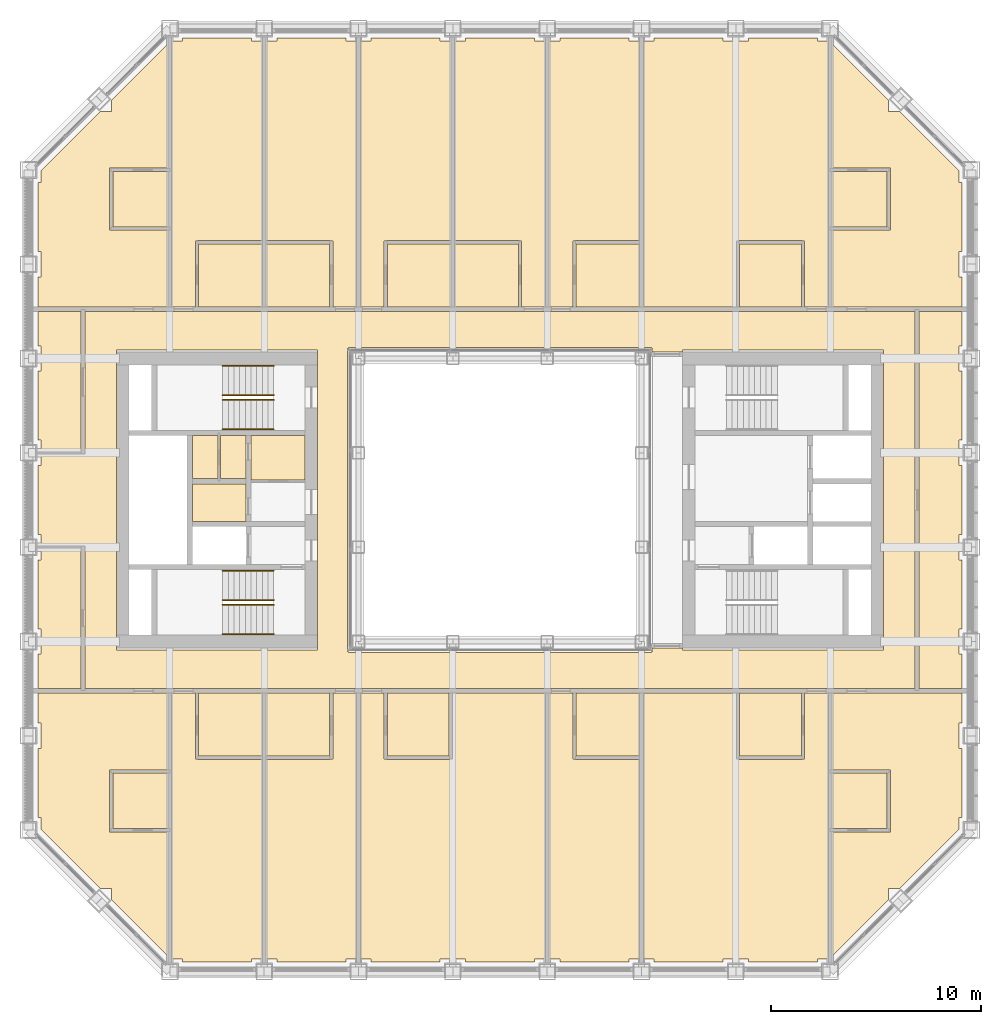
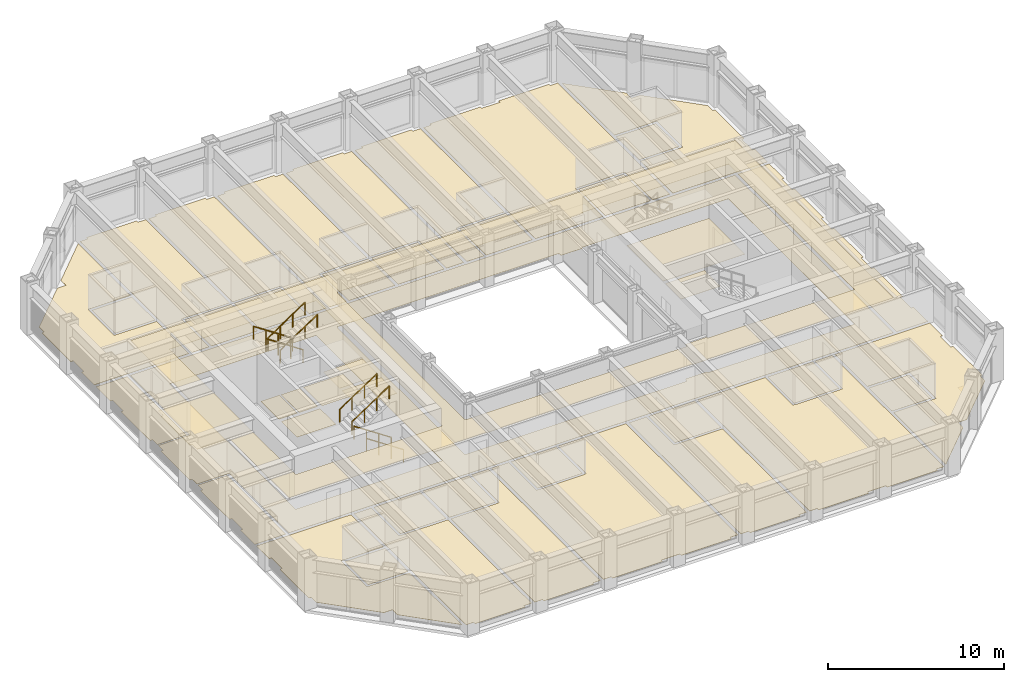
# One storey, part 15 of 17: 8 railings, 5 coverings.
"""IFC4 building model written with IfcOpenShell, lengths in metres."""

from ifc_helpers import new_model, si_unit, direction, frame, origin, origin_2d, place, context, subcontext, project, spatial, line, indexed_curve, circle, outline, extrude, material, layer, layer_set, type_object, element, save


model = new_model("IFC4")

# Units and contexts
model_context = context("Model", 3, precision=1e-05, world=origin(), true_north=direction((0.0, 1.0)))
body_context = subcontext(model_context, "Body", "Model", "MODEL_VIEW")
ifc_project = project(units=[si_unit("LENGTHUNIT", "METRE"), si_unit("AREAUNIT", "SQUARE_METRE"), si_unit("VOLUMEUNIT", "CUBIC_METRE"), si_unit("PLANEANGLEUNIT", "RADIAN"), si_unit("MASSUNIT", "GRAM", prefix="KILO")], contexts=[model_context])

# Site, building, storey
site_placement = place(None, origin())
site = spatial("IfcSite", under=ifc_project, at=site_placement, CompositionType="ELEMENT")
building_placement = place(site_placement, origin())
building = spatial("IfcBuilding", under=site, at=building_placement, Name="Msasa Ring Tower", CompositionType="ELEMENT")
storey_placement = place(building_placement, frame((0.0, 0.0, 140.0)))
storey = spatial("IfcBuildingStorey", under=building, at=storey_placement, Name="L36", CompositionType="ELEMENT", Elevation=140.0)

# Coverings
ifc_material_1 = material(Name="Gypsum plasterboard on a steel suspension grid", Category="steel")
ifc_layer_1 = layer(ifc_material_1, 0.014892578125)
ifc_layer_set_1 = layer_set([ifc_layer_1], Name="C1 SUSPENDED PLASTERBOARD CEILING 15")
covering_type_1 = type_object("IfcCoveringType", Name="C1 SUSPENDED PLASTERBOARD CEILING 15", PredefinedType="CEILING", material=ifc_layer_set_1)
covering_1_placement = place(storey_placement, frame((0.0, 0.0, 2.39990234375)))
element("IfcCovering", 1, at=covering_1_placement, inside=storey, type_object=covering_type_1, Name="Suspended Plasterboard Ceiling 15 circulation L36", PredefinedType="CEILING", context=body_context, shape_type="SweptSolid", body=[
    extrude(outline(indexed_curve([(19.799560546875, 8.99951171875), (19.799560546875, -8.99951171875), (-19.799560546875, -8.99951171875), (-19.799560546875, -2.199462890625), (-21.8994140625, -2.199462890625), (-21.8994140625, -1.6494140625), (-22.049560546875, -1.6494140625), (-22.049560546875, 1.6494140625), (-21.8994140625, 1.6494140625), (-21.8994140625, 2.199462890625), (-19.799560546875, 2.199462890625), (-19.799560546875, 8.99951171875)], segments=[line(1, 2, 3, 4, 5, 6, 7, 8, 9, 10, 11, 12, 1)], self_intersect=False), holes=[indexed_curve([(8.699462890625, -7.150390625), (18.300537109375, -7.150390625), (18.300537109375, 7.150390625), (8.699462890625, 7.150390625), (8.699462890625, 7.050537109375), (7.280029296875, 7.050537109375), (7.280517578125, 7.23046875), (7.22998046875, 7.23046875), (7.22998046875, 7.280029296875), (-7.22998046875, 7.280029296875), (-7.22998046875, 7.23046875), (-7.280517578125, 7.23046875), (-7.280517578125, -7.23046875), (-7.22998046875, -7.23046875), (-7.22998046875, -7.280029296875), (7.22998046875, -7.280029296875), (7.22998046875, -7.23046875), (7.280517578125, -7.23046875), (7.280029296875, -7.050537109375), (8.699462890625, -7.050537109375)], segments=[line(1, 2, 3, 4, 5, 6, 7, 8, 9, 10, 11, 12, 13, 14, 15, 16, 17, 18, 19, 20, 1)], self_intersect=False), indexed_curve([(-8.699462890625, 7.150390625), (-18.300537109375, 7.150390625), (-18.300537109375, -7.150390625), (-8.699462890625, -7.150390625)], segments=[line(1, 2, 3, 4, 1)], self_intersect=False)]), origin(), (0.0, 0.0, 1.0), 0.01513671875),
    extrude(outline(indexed_curve([(-9.300537109375, -3.074462890625), (-11.87451171875, -3.074462890625), (-11.87451171875, -1.275390625), (-9.300537109375, -1.275390625)], segments=[line(1, 2, 3, 4, 1)], self_intersect=False)), origin(), (0.0, 0.0, 1.0), 0.01513671875),
    extrude(outline(indexed_curve([(-9.300537109375, -1.0244140625), (-11.87451171875, -1.0244140625), (-11.87451171875, 0.844482421875), (-9.300537109375, 0.844482421875)], segments=[line(1, 2, 3, 4, 1)], self_intersect=False)), origin(), (0.0, 0.0, 1.0), 0.01513671875),
    extrude(outline(indexed_curve([(11.87451171875, -3.074462890625), (9.300537109375, -3.074462890625), (9.300537109375, -1.275390625), (11.87451171875, -1.275390625)], segments=[line(1, 2, 3, 4, 1)], self_intersect=False)), origin(), (0.0, 0.0, 1.0), 0.01513671875),
    extrude(outline(indexed_curve([(9.300537109375, -1.0244140625), (9.300537109375, 3.074462890625), (14.674560546875, 3.074462890625), (14.674560546875, -1.0244140625)], segments=[line(1, 2, 3, 4, 1)], self_intersect=False)), origin(), (0.0, 0.0, 1.0), 0.01513671875),
])
ifc_material_2 = material(Name="Wool-blend carpet on felt underlay", Category="textile")
ifc_layer_2 = layer(ifc_material_2, 0.011962890625)
ifc_layer_set_2 = layer_set([ifc_layer_2], Name="F2 CARPET ON UNDERLAY 12")
covering_type_2 = type_object("IfcCoveringType", Name="F2 CARPET ON UNDERLAY 12", PredefinedType="FLOORING", material=ifc_layer_set_2)
covering_2_placement = place(storey_placement, origin())
element("IfcCovering", 2, at=covering_2_placement, inside=storey, type_object=covering_type_2, Name="Carpet On Underlay 12 L36", PredefinedType="FLOORING", context=body_context, shape_type="SweptSolid", body=[
    extrude(outline(indexed_curve([(-19.799560546875, -8.99951171875), (-19.799560546875, -2.199462890625), (-21.8994140625, -2.199462890625), (-21.8994140625, -1.6494140625), (-22.049560546875, -1.6494140625), (-22.049560546875, 1.6494140625), (-21.8994140625, 1.6494140625), (-21.8994140625, 2.199462890625), (-19.799560546875, 2.199462890625), (-19.799560546875, 8.99951171875), (19.799560546875, 8.99951171875), (19.799560546875, -8.99951171875)], segments=[line(1, 2, 3, 4, 5, 6, 7, 8, 9, 10, 11, 12, 1)], self_intersect=False), holes=[indexed_curve([(8.699462890625, -7.150390625), (18.300537109375, -7.150390625), (18.300537109375, 7.150390625), (8.699462890625, 7.150390625), (8.699462890625, 7.050537109375), (7.280029296875, 7.050537109375), (7.280517578125, 7.23046875), (7.22998046875, 7.23046875), (7.22998046875, 7.280029296875), (-7.22998046875, 7.280029296875), (-7.22998046875, 7.23046875), (-7.280517578125, 7.23046875), (-7.280517578125, -7.23046875), (-7.22998046875, -7.23046875), (-7.22998046875, -7.280029296875), (7.22998046875, -7.280029296875), (7.22998046875, -7.23046875), (7.280517578125, -7.23046875), (7.280029296875, -7.050537109375), (8.699462890625, -7.050537109375)], segments=[line(1, 2, 3, 4, 5, 6, 7, 8, 9, 10, 11, 12, 13, 14, 15, 16, 17, 18, 19, 20, 1)], self_intersect=False), indexed_curve([(-18.300537109375, 7.150390625), (-18.300537109375, -7.150390625), (-8.699462890625, -7.150390625), (-8.699462890625, 7.150390625)], segments=[line(1, 2, 3, 4, 1)], self_intersect=False)]), origin(), (0.0, 0.0, 1.0), 0.011962890625),
    extrude(outline(indexed_curve([(-15.1494140625, -22.049560546875), (-15.1494140625, -21.8994140625), (-15.6494140625, -21.8994140625), (-15.6494140625, -9.200439453125), (-14.525390625, -9.200439453125), (-14.525390625, -12.35009765625), (-14.39990234375, -12.3505859375), (-14.39990234375, -12.37548828125), (-11.3505859375, -12.37548828125), (-11.3505859375, -21.8994140625), (-11.8505859375, -21.8994140625), (-11.8505859375, -22.049560546875)], segments=[line(1, 2, 3, 4, 5, 6, 7, 8, 9, 10, 11, 12, 1)], self_intersect=False)), origin(), (0.0, 0.0, 1.0), 0.011962890625),
    extrude(outline(indexed_curve([(-14.39990234375, 12.3505859375), (-14.525390625, 12.35009765625), (-14.525390625, 9.200439453125), (-15.6494140625, 9.200439453125), (-15.6494140625, 21.8994140625), (-15.1494140625, 21.8994140625), (-15.1494140625, 22.049560546875), (-11.8505859375, 22.049560546875), (-11.8505859375, 21.8994140625), (-11.3505859375, 21.8994140625), (-11.3505859375, 12.37548828125), (-14.39990234375, 12.37548828125)], segments=[line(1, 2, 3, 4, 5, 6, 7, 8, 9, 10, 11, 12, 1)], self_intersect=False)), origin(), (0.0, 0.0, 1.0), 0.011962890625),
    extrude(outline(indexed_curve([(-13.45556640625, 3.074462890625), (-13.45556640625, 1.025390625), (-14.674560546875, 1.025390625), (-14.674560546875, 3.074462890625)], segments=[line(1, 2, 3, 4, 1)], self_intersect=False)), origin(), (0.0, 0.0, 1.0), 0.011962890625),
    extrude(outline(indexed_curve([(-6.8505859375, -9.200439453125), (-6.8505859375, -21.8994140625), (-7.3505859375, -21.8994140625), (-7.3505859375, -22.049560546875), (-10.6494140625, -22.049560546875), (-10.6494140625, -21.8994140625), (-11.1494140625, -21.8994140625), (-11.1494140625, -12.37548828125), (-8.10009765625, -12.37548828125), (-8.10009765625, -12.3505859375), (-7.974609375, -12.35009765625), (-7.974609375, -9.200439453125)], segments=[line(1, 2, 3, 4, 5, 6, 7, 8, 9, 10, 11, 12, 1)], self_intersect=False)), origin(), (0.0, 0.0, 1.0), 0.011962890625),
    extrude(outline(indexed_curve([(-7.3505859375, 22.049560546875), (-7.3505859375, 21.8994140625), (-6.8505859375, 21.8994140625), (-6.8505859375, 9.200439453125), (-7.974609375, 9.200439453125), (-7.974609375, 12.35009765625), (-8.10009765625, 12.3505859375), (-8.10009765625, 12.37548828125), (-11.1494140625, 12.37548828125), (-11.1494140625, 21.8994140625), (-10.6494140625, 21.8994140625), (-10.6494140625, 22.049560546875)], segments=[line(1, 2, 3, 4, 5, 6, 7, 8, 9, 10, 11, 12, 1)], self_intersect=False)), origin(), (0.0, 0.0, 1.0), 0.011962890625),
    extrude(outline(indexed_curve([(-6.6494140625, 9.200439453125), (-6.6494140625, 21.8994140625), (-6.1494140625, 21.8994140625), (-6.1494140625, 22.049560546875), (-2.8505859375, 22.049560546875), (-2.8505859375, 21.8994140625), (-2.3505859375, 21.8994140625), (-2.3505859375, 12.37548828125), (-5.39990234375, 12.37548828125), (-5.39990234375, 12.3505859375), (-5.525390625, 12.35009765625), (-5.525390625, 9.200439453125)], segments=[line(1, 2, 3, 4, 5, 6, 7, 8, 9, 10, 11, 12, 1)], self_intersect=False)), origin(), (0.0, 0.0, 1.0), 0.011962890625),
    extrude(outline(indexed_curve([(2.1494140625, 9.200439453125), (1.025390625, 9.200439453125), (1.025390625, 12.35009765625), (0.89990234375, 12.3505859375), (0.89990234375, 12.37548828125), (-2.1494140625, 12.37548828125), (-2.1494140625, 21.8994140625), (-1.6494140625, 21.8994140625), (-1.6494140625, 22.049560546875), (1.6494140625, 22.049560546875), (1.6494140625, 21.8994140625), (2.1494140625, 21.8994140625)], segments=[line(1, 2, 3, 4, 5, 6, 7, 8, 9, 10, 11, 12, 1)], self_intersect=False)), origin(), (0.0, 0.0, 1.0), 0.011962890625),
    extrude(outline(indexed_curve([(2.8505859375, -22.049560546875), (2.8505859375, -21.8994140625), (2.3505859375, -21.8994140625), (2.3505859375, -9.200439453125), (3.474609375, -9.200439453125), (3.474609375, -12.35009765625), (3.60009765625, -12.3505859375), (3.60009765625, -12.37548828125), (6.6494140625, -12.37548828125), (6.6494140625, -21.8994140625), (6.1494140625, -21.8994140625), (6.1494140625, -22.049560546875)], segments=[line(1, 2, 3, 4, 5, 6, 7, 8, 9, 10, 11, 12, 1)], self_intersect=False)), origin(), (0.0, 0.0, 1.0), 0.011962890625),
    extrude(outline(indexed_curve([(2.3505859375, 21.8994140625), (2.8505859375, 21.8994140625), (2.8505859375, 22.049560546875), (6.1494140625, 22.049560546875), (6.1494140625, 21.8994140625), (6.6494140625, 21.8994140625), (6.6494140625, 12.37548828125), (3.60009765625, 12.37548828125), (3.60009765625, 12.3505859375), (3.474609375, 12.35009765625), (3.474609375, 9.200439453125), (2.3505859375, 9.200439453125)], segments=[line(1, 2, 3, 4, 5, 6, 7, 8, 9, 10, 11, 12, 1)], self_intersect=False)), origin(), (0.0, 0.0, 1.0), 0.011962890625),
])
ifc_material_3 = material(Name="Engineered oak boards on an acoustic underlay", Category="wood")
ifc_layer_3 = layer(ifc_material_3, 0.01806640625)
ifc_layer_set_3 = layer_set([ifc_layer_3], Name="F3 ENGINEERED TIMBER ON ACOUSTIC UNDERLAY 18")
covering_type_3 = type_object("IfcCoveringType", Name="F3 ENGINEERED TIMBER ON ACOUSTIC UNDERLAY 18", PredefinedType="FLOORING", material=ifc_layer_set_3)
covering_3_placement = place(storey_placement, origin())
element("IfcCovering", 3, at=covering_3_placement, inside=storey, type_object=covering_type_3, Name="Engineered Timber On Acoustic Underlay 18 L36", PredefinedType="FLOORING", context=body_context, shape_type="SweptSolid", body=[
    extrude(outline(indexed_curve([(-15.8505859375, -21.762451171875), (-18.5244140625, -19.08837890625), (-18.5244140625, -18.5244140625), (-19.08837890625, -18.5244140625), (-21.8994140625, -15.71337890625), (-21.8994140625, -15.1494140625), (-22.049560546875, -15.1494140625), (-22.049560546875, -11.8505859375), (-21.8994140625, -11.8505859375), (-21.8994140625, -10.6494140625), (-22.049560546875, -10.6494140625), (-22.049560546875, -9.200439453125), (-15.8505859375, -9.200439453125), (-15.8505859375, -12.869384765625), (-18.630615234375, -12.869384765625), (-18.630615234375, -15.83056640625), (-15.8505859375, -15.83056640625)], segments=[line(1, 2, 3, 4, 5, 6, 7, 8, 9, 10, 11, 12, 13, 14, 15, 16, 17, 1)], self_intersect=False)), origin(), (0.0, 0.0, 1.0), 0.01806640625),
    extrude(outline(indexed_curve([(-18.630615234375, 12.869384765625), (-15.8505859375, 12.869384765625), (-15.8505859375, 9.200439453125), (-22.049560546875, 9.200439453125), (-22.049560546875, 10.6494140625), (-21.8994140625, 10.6494140625), (-21.8994140625, 11.8505859375), (-22.049560546875, 11.8505859375), (-22.049560546875, 15.1494140625), (-21.8994140625, 15.1494140625), (-21.8994140625, 15.71337890625), (-19.08837890625, 18.5244140625), (-18.5244140625, 18.5244140625), (-18.5244140625, 19.08837890625), (-15.8505859375, 21.762451171875), (-15.8505859375, 15.83056640625), (-18.630615234375, 15.83056640625)], segments=[line(1, 2, 3, 4, 5, 6, 7, 8, 9, 10, 11, 12, 13, 14, 15, 16, 17, 1)], self_intersect=False)), origin(), (0.0, 0.0, 1.0), 0.01806640625),
    extrude(outline(indexed_curve([(-5.525390625, -12.35009765625), (-5.39990234375, -12.3505859375), (-5.39990234375, -12.37548828125), (-2.39990234375, -12.37548828125), (-2.39990234375, -12.3505859375), (-2.2744140625, -12.35009765625), (-2.2744140625, -9.200439453125), (2.1494140625, -9.200439453125), (2.1494140625, -21.8994140625), (1.6494140625, -21.8994140625), (1.6494140625, -22.049560546875), (-1.6494140625, -22.049560546875), (-1.6494140625, -21.8994140625), (-2.8505859375, -21.8994140625), (-2.8505859375, -22.049560546875), (-6.1494140625, -22.049560546875), (-6.1494140625, -21.8994140625), (-6.6494140625, -21.8994140625), (-6.6494140625, -9.200439453125), (-5.525390625, -9.200439453125)], segments=[line(1, 2, 3, 4, 5, 6, 7, 8, 9, 10, 11, 12, 13, 14, 15, 16, 17, 18, 19, 20, 1)], self_intersect=False)), origin(), (0.0, 0.0, 1.0), 0.01806640625),
    extrude(outline(indexed_curve([(11.2744140625, -12.35009765625), (11.39990234375, -12.3505859375), (11.39990234375, -12.37548828125), (14.39990234375, -12.37548828125), (14.39990234375, -12.3505859375), (14.525390625, -12.35009765625), (14.525390625, -9.200439453125), (15.6494140625, -9.200439453125), (15.6494140625, -21.8994140625), (15.1494140625, -21.8994140625), (15.1494140625, -22.049560546875), (11.8505859375, -22.049560546875), (11.8505859375, -21.8994140625), (10.6494140625, -21.8994140625), (10.6494140625, -22.049560546875), (7.3505859375, -22.049560546875), (7.3505859375, -21.8994140625), (6.8505859375, -21.8994140625), (6.8505859375, -9.200439453125), (11.2744140625, -9.200439453125)], segments=[line(1, 2, 3, 4, 5, 6, 7, 8, 9, 10, 11, 12, 13, 14, 15, 16, 17, 18, 19, 20, 1)], self_intersect=False)), origin(), (0.0, 0.0, 1.0), 0.01806640625),
    extrude(outline(indexed_curve([(14.525390625, 12.35009765625), (14.39990234375, 12.3505859375), (14.39990234375, 12.37548828125), (11.39990234375, 12.37548828125), (11.39990234375, 12.3505859375), (11.2744140625, 12.35009765625), (11.2744140625, 9.200439453125), (6.8505859375, 9.200439453125), (6.8505859375, 21.8994140625), (7.3505859375, 21.8994140625), (7.3505859375, 22.049560546875), (10.6494140625, 22.049560546875), (10.6494140625, 21.8994140625), (11.8505859375, 21.8994140625), (11.8505859375, 22.049560546875), (15.1494140625, 22.049560546875), (15.1494140625, 21.8994140625), (15.6494140625, 21.8994140625), (15.6494140625, 9.200439453125), (14.525390625, 9.200439453125)], segments=[line(1, 2, 3, 4, 5, 6, 7, 8, 9, 10, 11, 12, 13, 14, 15, 16, 17, 18, 19, 20, 1)], self_intersect=False)), origin(), (0.0, 0.0, 1.0), 0.01806640625),
    extrude(outline(indexed_curve([(18.630615234375, -12.869384765625), (15.8505859375, -12.869384765625), (15.8505859375, -9.200439453125), (22.049560546875, -9.200439453125), (22.049560546875, -10.6494140625), (21.8994140625, -10.6494140625), (21.8994140625, -11.8505859375), (22.049560546875, -11.8505859375), (22.049560546875, -15.1494140625), (21.8994140625, -15.1494140625), (21.8994140625, -15.71337890625), (19.08837890625, -18.5244140625), (18.5244140625, -18.5244140625), (18.5244140625, -19.08837890625), (15.8505859375, -21.762451171875), (15.8505859375, -15.83056640625), (18.630615234375, -15.83056640625)], segments=[line(1, 2, 3, 4, 5, 6, 7, 8, 9, 10, 11, 12, 13, 14, 15, 16, 17, 1)], self_intersect=False)), origin(), (0.0, 0.0, 1.0), 0.01806640625),
    extrude(outline(indexed_curve([(15.8505859375, 21.762451171875), (18.5244140625, 19.08837890625), (18.5244140625, 18.5244140625), (19.08837890625, 18.5244140625), (21.8994140625, 15.71337890625), (21.8994140625, 15.1494140625), (22.049560546875, 15.1494140625), (22.049560546875, 11.8505859375), (21.8994140625, 11.8505859375), (21.8994140625, 10.6494140625), (22.049560546875, 10.6494140625), (22.049560546875, 9.200439453125), (15.8505859375, 9.200439453125), (15.8505859375, 12.869384765625), (18.630615234375, 12.869384765625), (18.630615234375, 15.83056640625), (15.8505859375, 15.83056640625)], segments=[line(1, 2, 3, 4, 5, 6, 7, 8, 9, 10, 11, 12, 13, 14, 15, 16, 17, 1)], self_intersect=False)), origin(), (0.0, 0.0, 1.0), 0.01806640625),
])
ifc_material_4 = material(Name="Porcelain floor tiles in adhesive", Category="ceramic")
ifc_layer_4 = layer(ifc_material_4, 0.010009765625)
ifc_layer_set_4 = layer_set([ifc_layer_4], Name="F4 PORCELAIN TILE ON ADHESIVE 10")
covering_type_4 = type_object("IfcCoveringType", Name="F4 PORCELAIN TILE ON ADHESIVE 10", PredefinedType="FLOORING", material=ifc_layer_set_4)
covering_4_placement = place(storey_placement, origin())
element("IfcCovering", 4, at=covering_4_placement, inside=storey, type_object=covering_type_4, Name="Porcelain Tile On Adhesive 10 L36", PredefinedType="FLOORING", context=body_context, shape_type="SweptSolid", body=[
    extrude(outline(indexed_curve([(-15.8505859375, -13.030517578125), (-15.8505859375, -15.66943359375), (-18.469482421875, -15.66943359375), (-18.469482421875, -13.030517578125)], segments=[line(1, 2, 3, 4, 1)], self_intersect=False)), origin(), (0.0, 0.0, 1.0), 0.010009765625),
    extrude(outline(indexed_curve([(-15.8505859375, 15.66943359375), (-15.8505859375, 13.030517578125), (-18.469482421875, 13.030517578125), (-18.469482421875, 15.66943359375)], segments=[line(1, 2, 3, 4, 1)], self_intersect=False)), origin(), (0.0, 0.0, 1.0), 0.010009765625),
    extrude(outline(indexed_curve([(-12.12548828125, -1.0244140625), (-14.674560546875, -1.0244140625), (-14.674560546875, 0.7744140625), (-12.12548828125, 0.7744140625)], segments=[line(1, 2, 3, 4, 1)], self_intersect=False)), origin(), (0.0, 0.0, 1.0), 0.010009765625),
    extrude(outline(indexed_curve([(-11.3505859375, -9.200439453125), (-11.3505859375, -12.224609375), (-14.37451171875, -12.224609375), (-14.37451171875, -9.200439453125)], segments=[line(1, 2, 3, 4, 1)], self_intersect=False)), origin(), (0.0, 0.0, 1.0), 0.010009765625),
    extrude(outline(indexed_curve([(-11.3505859375, 9.200439453125), (-14.37451171875, 9.200439453125), (-14.37451171875, 12.224609375), (-11.3505859375, 12.224609375)], segments=[line(1, 2, 3, 4, 1)], self_intersect=False)), origin(), (0.0, 0.0, 1.0), 0.010009765625),
    extrude(outline(indexed_curve([(-8.12548828125, -9.200439453125), (-8.12548828125, -12.224609375), (-11.1494140625, -12.224609375), (-11.1494140625, -9.200439453125)], segments=[line(1, 2, 3, 4, 1)], self_intersect=False)), origin(), (0.0, 0.0, 1.0), 0.010009765625),
    extrude(outline(indexed_curve([(-11.1494140625, 9.200439453125), (-11.1494140625, 12.224609375), (-8.12548828125, 12.224609375), (-8.12548828125, 9.200439453125)], segments=[line(1, 2, 3, 4, 1)], self_intersect=False)), origin(), (0.0, 0.0, 1.0), 0.010009765625),
    extrude(outline(indexed_curve([(-2.425537109375, -9.200439453125), (-2.425537109375, -12.224609375), (-5.37451171875, -12.224609375), (-5.37451171875, -9.200439453125)], segments=[line(1, 2, 3, 4, 1)], self_intersect=False)), origin(), (0.0, 0.0, 1.0), 0.010009765625),
    extrude(outline(indexed_curve([(-2.3505859375, 9.200439453125), (-5.37451171875, 9.200439453125), (-5.37451171875, 12.224609375), (-2.3505859375, 12.224609375)], segments=[line(1, 2, 3, 4, 1)], self_intersect=False)), origin(), (0.0, 0.0, 1.0), 0.010009765625),
    extrude(outline(indexed_curve([(-2.1494140625, 9.200439453125), (-2.1494140625, 12.224609375), (0.87451171875, 12.224609375), (0.87451171875, 9.200439453125)], segments=[line(1, 2, 3, 4, 1)], self_intersect=False)), origin(), (0.0, 0.0, 1.0), 0.010009765625),
    extrude(outline(indexed_curve([(6.6494140625, -9.200439453125), (6.6494140625, -12.224609375), (3.62548828125, -12.224609375), (3.62548828125, -9.200439453125)], segments=[line(1, 2, 3, 4, 1)], self_intersect=False)), origin(), (0.0, 0.0, 1.0), 0.010009765625),
    extrude(outline(indexed_curve([(6.6494140625, 9.200439453125), (3.62548828125, 9.200439453125), (3.62548828125, 12.224609375), (6.6494140625, 12.224609375)], segments=[line(1, 2, 3, 4, 1)], self_intersect=False)), origin(), (0.0, 0.0, 1.0), 0.010009765625),
    extrude(outline(indexed_curve([(14.37451171875, -9.200439453125), (14.37451171875, -12.224609375), (11.425537109375, -12.224609375), (11.425537109375, -9.200439453125)], segments=[line(1, 2, 3, 4, 1)], self_intersect=False)), origin(), (0.0, 0.0, 1.0), 0.010009765625),
    extrude(outline(indexed_curve([(11.425537109375, 9.200439453125), (11.425537109375, 12.224609375), (14.37451171875, 12.224609375), (14.37451171875, 9.200439453125)], segments=[line(1, 2, 3, 4, 1)], self_intersect=False)), origin(), (0.0, 0.0, 1.0), 0.010009765625),
    extrude(outline(indexed_curve([(18.469482421875, -13.030517578125), (18.469482421875, -15.66943359375), (15.8505859375, -15.66943359375), (15.8505859375, -13.030517578125)], segments=[line(1, 2, 3, 4, 1)], self_intersect=False)), origin(), (0.0, 0.0, 1.0), 0.010009765625),
    extrude(outline(indexed_curve([(18.469482421875, 15.66943359375), (18.469482421875, 13.030517578125), (15.8505859375, 13.030517578125), (15.8505859375, 15.66943359375)], segments=[line(1, 2, 3, 4, 1)], self_intersect=False)), origin(), (0.0, 0.0, 1.0), 0.010009765625),
])
ifc_material_5 = material(Name="Welded vinyl safety sheet flooring", Category="vinyl")
ifc_layer_5 = layer(ifc_material_5, 0.0029296875)
ifc_layer_set_5 = layer_set([ifc_layer_5], Name="F5 RESILIENT SHEET FLOORING 3")
covering_type_5 = type_object("IfcCoveringType", Name="F5 RESILIENT SHEET FLOORING 3", PredefinedType="FLOORING", material=ifc_layer_set_5)
covering_5_placement = place(storey_placement, origin())
element("IfcCovering", 5, at=covering_5_placement, inside=storey, type_object=covering_type_5, Name="Resilient Sheet Flooring 3 L36", PredefinedType="FLOORING", context=body_context, shape_type="SweptSolid", body=[
    extrude(outline(indexed_curve([(-20.00048828125, -2.305419921875), (-20.00048828125, -8.99951171875), (-22.049560546875, -8.99951171875), (-22.049560546875, -7.3505859375), (-21.8994140625, -7.3505859375), (-21.8994140625, -6.1494140625), (-22.049560546875, -6.1494140625), (-22.049560546875, -2.8505859375), (-21.8994140625, -2.8505859375), (-21.8994140625, -2.305419921875)], segments=[line(1, 2, 3, 4, 5, 6, 7, 8, 9, 10, 1)], self_intersect=False)), origin(), (0.0, 0.0, 1.0), 0.0029296875),
    extrude(outline(indexed_curve([(-20.00048828125, 2.305419921875), (-21.8994140625, 2.305419921875), (-21.8994140625, 2.8505859375), (-22.049560546875, 2.8505859375), (-22.049560546875, 6.1494140625), (-21.8994140625, 6.1494140625), (-21.8994140625, 7.3505859375), (-22.049560546875, 7.3505859375), (-22.049560546875, 8.99951171875), (-20.00048828125, 8.99951171875)], segments=[line(1, 2, 3, 4, 5, 6, 7, 8, 9, 10, 1)], self_intersect=False)), origin(), (0.0, 0.0, 1.0), 0.0029296875),
    extrude(outline(indexed_curve([(-13.344482421875, 3.074462890625), (-12.12548828125, 3.074462890625), (-12.12548828125, 1.025390625), (-13.344482421875, 1.025390625)], segments=[line(1, 2, 3, 4, 1)], self_intersect=False)), origin(), (0.0, 0.0, 1.0), 0.0029296875),
    extrude(outline(indexed_curve([(-11.87451171875, 0.95556640625), (-11.87451171875, 3.074462890625), (-9.300537109375, 3.074462890625), (-9.300537109375, 0.95556640625)], segments=[line(1, 2, 3, 4, 1)], self_intersect=False)), origin(), (0.0, 0.0, 1.0), 0.0029296875),
    extrude(outline(indexed_curve([(22.049560546875, 7.3505859375), (21.8994140625, 7.3505859375), (21.8994140625, 6.1494140625), (22.049560546875, 6.1494140625), (22.049560546875, 2.8505859375), (21.8994140625, 2.8505859375), (21.8994140625, 1.6494140625), (22.049560546875, 1.6494140625), (22.049560546875, -1.6494140625), (21.8994140625, -1.6494140625), (21.8994140625, -2.8505859375), (22.049560546875, -2.8505859375), (22.049560546875, -6.1494140625), (21.8994140625, -6.1494140625), (21.8994140625, -7.3505859375), (22.049560546875, -7.3505859375), (22.049560546875, -8.99951171875), (20.00048828125, -8.99951171875), (20.00048828125, 8.99951171875), (22.049560546875, 8.99951171875)], segments=[line(1, 2, 3, 4, 5, 6, 7, 8, 9, 10, 11, 12, 13, 14, 15, 16, 17, 18, 19, 20, 1)], self_intersect=False)), origin(), (0.0, 0.0, 1.0), 0.0029296875),
])

# Railings
ifc_material_6 = material(Name="Stainless steel", Category="steel")
railing_type = type_object("IfcRailingType", Name="HR1 HANDRAIL 900", PredefinedType="HANDRAIL", material=ifc_material_6)
for number, where, name in (
    (6, (-10.800048828125, -6.39990234375, 0.179931640625), "Handrail stair SWA L36 1"),
    (7, (-10.800048828125, -5.0, 0.179931640625), "Handrail stair SWA L36 2"),
):
    element("IfcRailing", number, at=place(storey_placement, frame(where)), inside=storey, type_object=railing_type, Name=name, PredefinedType="HANDRAIL", context=body_context, shape_type="SweptSolid", body=[
        extrude(circle(Radius=0.02392578125, at=origin_2d()), frame((0.0, 0.0, 0.8759765625), z_axis=(-0.832024571796, 0.0, 0.554738778101), x_axis=(0.0, -1.0, 0.0)), (0.0, 0.0, 1.0), 2.92041015625),
        extrude(circle(Radius=0.02099609375, at=origin_2d()), origin(), (0.0, 0.0, 1.0), 0.851806640625),
        extrude(circle(Radius=0.02099609375, at=origin_2d()), frame((-0.81005859375, 0.0, 0.5400390625)), (0.0, 0.0, 1.0), 0.851806640625),
        extrude(circle(Radius=0.02099609375, at=origin_2d()), frame((-1.619873046875, 0.0, 1.080078125)), (0.0, 0.0, 1.0), 0.851806640625),
        extrude(circle(Radius=0.02099609375, at=origin_2d()), frame((-2.429931640625, 0.0, 1.6201171875)), (0.0, 0.0, 1.0), 0.851806640625),
    ])
for number, where, name in (
    (8, (-13.22998046875, -4.77490234375, 1.97998046875), "Handrail stair SWA L36 3"),
    (9, (-13.22998046875, -3.375, 1.97998046875), "Handrail stair SWA L36 4"),
):
    element("IfcRailing", number, at=place(storey_placement, frame(where)), inside=storey, type_object=railing_type, Name=name, PredefinedType="HANDRAIL", context=body_context, shape_type="SweptSolid", body=[
        extrude(circle(Radius=0.02392578125, at=origin_2d()), frame((0.0, 0.0, 0.8759765625), z_axis=(0.832024571796, 0.0, 0.554738778101), x_axis=(0.0, 1.0, 0.0)), (0.0, 0.0, 1.0), 2.92041015625),
        extrude(circle(Radius=0.02099609375, at=origin_2d()), origin(), (0.0, 0.0, 1.0), 0.851806640625),
        extrude(circle(Radius=0.02099609375, at=origin_2d()), frame((0.81005859375, 0.0, 0.5400390625)), (0.0, 0.0, 1.0), 0.851806640625),
        extrude(circle(Radius=0.02099609375, at=origin_2d()), frame((1.619873046875, 0.0, 1.080078125)), (0.0, 0.0, 1.0), 0.851806640625),
        extrude(circle(Radius=0.02099609375, at=origin_2d()), frame((2.429931640625, 0.0, 1.6201171875)), (0.0, 0.0, 1.0), 0.851806640625),
    ])
for number, where, name in (
    (10, (-10.800048828125, 5.0, 0.179931640625), "Handrail stair SWB L36 1"),
    (11, (-10.800048828125, 6.39990234375, 0.179931640625), "Handrail stair SWB L36 2"),
):
    element("IfcRailing", number, at=place(storey_placement, frame(where)), inside=storey, type_object=railing_type, Name=name, PredefinedType="HANDRAIL", context=body_context, shape_type="SweptSolid", body=[
        extrude(circle(Radius=0.02392578125, at=origin_2d()), frame((0.0, 0.0, 0.8759765625), z_axis=(-0.832024571796, 0.0, 0.554738778101), x_axis=(0.0, -1.0, 0.0)), (0.0, 0.0, 1.0), 2.92041015625),
        extrude(circle(Radius=0.02099609375, at=origin_2d()), origin(), (0.0, 0.0, 1.0), 0.851806640625),
        extrude(circle(Radius=0.02099609375, at=origin_2d()), frame((-0.81005859375, 0.0, 0.5400390625)), (0.0, 0.0, 1.0), 0.851806640625),
        extrude(circle(Radius=0.02099609375, at=origin_2d()), frame((-1.619873046875, 0.0, 1.080078125)), (0.0, 0.0, 1.0), 0.851806640625),
        extrude(circle(Radius=0.02099609375, at=origin_2d()), frame((-2.429931640625, 0.0, 1.6201171875)), (0.0, 0.0, 1.0), 0.851806640625),
    ])
for number, where, name in (
    (12, (-13.22998046875, 3.375, 1.97998046875), "Handrail stair SWB L36 3"),
    (13, (-13.22998046875, 4.77490234375, 1.97998046875), "Handrail stair SWB L36 4"),
):
    element("IfcRailing", number, at=place(storey_placement, frame(where)), inside=storey, type_object=railing_type, Name=name, PredefinedType="HANDRAIL", context=body_context, shape_type="SweptSolid", body=[
        extrude(circle(Radius=0.02392578125, at=origin_2d()), frame((0.0, 0.0, 0.8759765625), z_axis=(0.832024571796, 0.0, 0.554738778101), x_axis=(0.0, 1.0, 0.0)), (0.0, 0.0, 1.0), 2.92041015625),
        extrude(circle(Radius=0.02099609375, at=origin_2d()), origin(), (0.0, 0.0, 1.0), 0.851806640625),
        extrude(circle(Radius=0.02099609375, at=origin_2d()), frame((0.81005859375, 0.0, 0.5400390625)), (0.0, 0.0, 1.0), 0.851806640625),
        extrude(circle(Radius=0.02099609375, at=origin_2d()), frame((1.619873046875, 0.0, 1.080078125)), (0.0, 0.0, 1.0), 0.851806640625),
        extrude(circle(Radius=0.02099609375, at=origin_2d()), frame((2.429931640625, 0.0, 1.6201171875)), (0.0, 0.0, 1.0), 0.851806640625),
    ])

save(model, "model.ifc")
